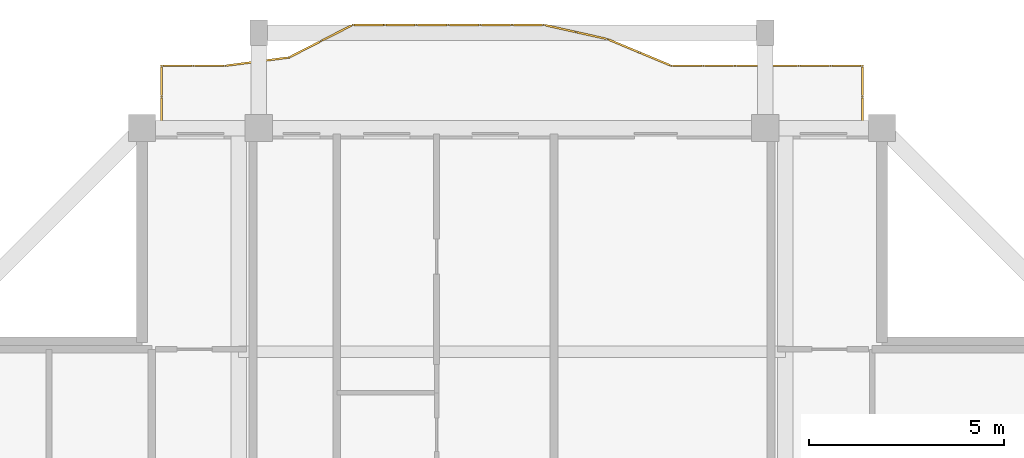
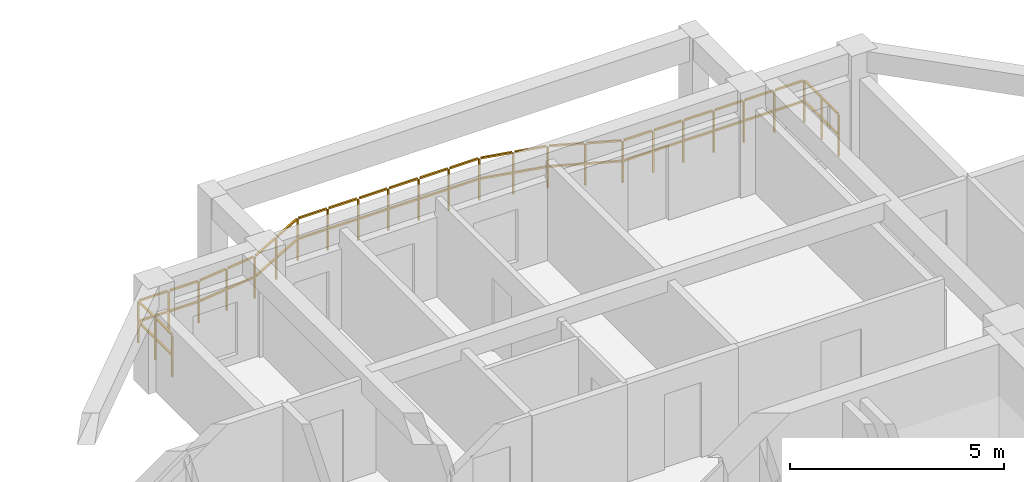
# One storey, part 12 of 12: 1 railing.
"""IFC4 building model written with IfcOpenShell, lengths in metres."""

from ifc_helpers import new_model, si_unit, direction, frame, origin, origin_2d, place, context, subcontext, project, spatial, rectangle, extrude, material, type_object, element, save


model = new_model("IFC4")

# Units and contexts
model_context = context("Model", 3, precision=1e-05, world=origin(), true_north=direction((0.0, 1.0)))
body_context = subcontext(model_context, "Body", "Model", "MODEL_VIEW")
ifc_project = project(units=[si_unit("LENGTHUNIT", "METRE"), si_unit("AREAUNIT", "SQUARE_METRE"), si_unit("VOLUMEUNIT", "CUBIC_METRE"), si_unit("PLANEANGLEUNIT", "RADIAN"), si_unit("MASSUNIT", "GRAM", prefix="KILO")], contexts=[model_context])

# Site, building, storey
site_placement = place(None, origin())
site = spatial("IfcSite", under=ifc_project, at=site_placement, CompositionType="ELEMENT")
building_placement = place(site_placement, origin())
building = spatial("IfcBuilding", under=site, at=building_placement, Name="Saelheon Loggia Tower", CompositionType="ELEMENT")
storey_placement = place(building_placement, frame((0.0, 0.0, 240.0)))
storey = spatial("IfcBuildingStorey", under=building, at=storey_placement, Name="L74", CompositionType="ELEMENT", Elevation=240.0)

# Railing
ifc_material = material(Name="Architectural Precast Concrete and Laminated Glass Guard", Category="concrete")
railing_type = type_object("IfcRailingType", Name="Guard_Loggia_RL_LOG", PredefinedType="BALUSTRADE", material=ifc_material)
railing_placement = place(storey_placement, frame((47.0, 48.0, 0.0)))
element("IfcRailing", 1, at=railing_placement, inside=storey, type_object=railing_type, Name="L74 North Loggia Balustrade", PredefinedType="BALUSTRADE", context=body_context, shape_type="SweptSolid", body=[
    extrude(rectangle(XDim=0.048095703125, YDim=0.048095703125, at=origin_2d()), frame((0.0, 0.033203125, 1.19580078125), z_axis=(0.0, 1.0, 0.0), x_axis=(-1.0, 0.0, 0.0)), (0.0, 0.0, 1.0), 0.733642578125),
    extrude(rectangle(XDim=0.048095703125, YDim=0.048095703125, at=origin_2d()), frame((0.0, 0.033203125, 0.60986328125), z_axis=(0.0, 1.0, 0.0), x_axis=(-1.0, 0.0, 0.0)), (0.0, 0.0, 1.0), 0.733642578125),
    extrude(rectangle(XDim=0.048095703125, YDim=0.048095703125, at=origin_2d()), frame((0.0, 0.833251953125, 1.19580078125), z_axis=(0.0, 1.0, 0.0), x_axis=(-1.0, 0.0, 0.0)), (0.0, 0.0, 1.0), 0.733642578125),
    extrude(rectangle(XDim=0.048095703125, YDim=0.048095703125, at=origin_2d()), frame((0.0, 0.833251953125, 0.60986328125), z_axis=(0.0, 1.0, 0.0), x_axis=(-1.0, 0.0, 0.0)), (0.0, 0.0, 1.0), 0.733642578125),
    extrude(rectangle(XDim=0.048095703125, YDim=0.048095703125, at=origin_2d()), frame((-0.033203125, 1.60009765625, 1.19580078125), z_axis=(-1.0, 0.0, 0.0), x_axis=(0.0, -1.0, 0.0)), (0.0, 0.0, 1.0), 0.751708984375),
    extrude(rectangle(XDim=0.048095703125, YDim=0.048095703125, at=origin_2d()), frame((-0.033203125, 1.60009765625, 0.60986328125), z_axis=(-1.0, 0.0, 0.0), x_axis=(0.0, -1.0, 0.0)), (0.0, 0.0, 1.0), 0.751708984375),
    extrude(rectangle(XDim=0.048095703125, YDim=0.048095703125, at=origin_2d()), frame((-0.8515625, 1.60009765625, 1.19580078125), z_axis=(-1.0, 0.0, 0.0), x_axis=(0.0, -1.0, 0.0)), (0.0, 0.0, 1.0), 0.751708984375),
    extrude(rectangle(XDim=0.048095703125, YDim=0.048095703125, at=origin_2d()), frame((-0.8515625, 1.60009765625, 0.60986328125), z_axis=(-1.0, 0.0, 0.0), x_axis=(0.0, -1.0, 0.0)), (0.0, 0.0, 1.0), 0.751708984375),
    extrude(rectangle(XDim=0.048095703125, YDim=0.048095703125, at=origin_2d()), frame((-1.669677734375, 1.60009765625, 1.19580078125), z_axis=(-1.0, 0.0, 0.0), x_axis=(0.0, -1.0, 0.0)), (0.0, 0.0, 1.0), 0.751708984375),
    extrude(rectangle(XDim=0.048095703125, YDim=0.048095703125, at=origin_2d()), frame((-1.669677734375, 1.60009765625, 0.60986328125), z_axis=(-1.0, 0.0, 0.0), x_axis=(0.0, -1.0, 0.0)), (0.0, 0.0, 1.0), 0.751708984375),
    extrude(rectangle(XDim=0.048095703125, YDim=0.048095703125, at=origin_2d()), frame((-2.48779296875, 1.60009765625, 1.19580078125), z_axis=(-1.0, 0.0, 0.0), x_axis=(0.0, -1.0, 0.0)), (0.0, 0.0, 1.0), 0.751708984375),
    extrude(rectangle(XDim=0.048095703125, YDim=0.048095703125, at=origin_2d()), frame((-2.48779296875, 1.60009765625, 0.60986328125), z_axis=(-1.0, 0.0, 0.0), x_axis=(0.0, -1.0, 0.0)), (0.0, 0.0, 1.0), 0.751708984375),
    extrude(rectangle(XDim=0.048095703125, YDim=0.048095703125, at=origin_2d()), frame((-3.305908203125, 1.60009765625, 1.19580078125), z_axis=(-1.0, 0.0, 0.0), x_axis=(0.0, -1.0, 0.0)), (0.0, 0.0, 1.0), 0.751708984375),
    extrude(rectangle(XDim=0.048095703125, YDim=0.048095703125, at=origin_2d()), frame((-3.305908203125, 1.60009765625, 0.60986328125), z_axis=(-1.0, 0.0, 0.0), x_axis=(0.0, -1.0, 0.0)), (0.0, 0.0, 1.0), 0.751708984375),
    extrude(rectangle(XDim=0.048095703125, YDim=0.048095703125, at=origin_2d()), frame((-4.124267578125, 1.60009765625, 1.19580078125), z_axis=(-1.0, 0.0, 0.0), x_axis=(0.0, -1.0, 0.0)), (0.0, 0.0, 1.0), 0.751708984375),
    extrude(rectangle(XDim=0.048095703125, YDim=0.048095703125, at=origin_2d()), frame((-4.124267578125, 1.60009765625, 0.60986328125), z_axis=(-1.0, 0.0, 0.0), x_axis=(0.0, -1.0, 0.0)), (0.0, 0.0, 1.0), 0.751708984375),
    extrude(rectangle(XDim=0.048095703125, YDim=0.048095703125, at=origin_2d()), frame((-4.93994140625, 1.61279296875, 1.19580078125), z_axis=(-0.922807832653, 0.385260566363, 0.0), x_axis=(-0.385260566363, -0.922807832653, 0.0)), (0.0, 0.0, 1.0), 0.820068359375),
    extrude(rectangle(XDim=0.048095703125, YDim=0.048095703125, at=origin_2d()), frame((-4.93994140625, 1.61279296875, 0.60986328125), z_axis=(-0.922807832653, 0.385260566363, 0.0), x_axis=(-0.385260566363, -0.922807832653, 0.0)), (0.0, 0.0, 1.0), 0.820068359375),
    extrude(rectangle(XDim=0.048095703125, YDim=0.048095703125, at=origin_2d()), frame((-5.758056640625, 1.954345703125, 1.19580078125), z_axis=(-0.922807832653, 0.385260566363, 0.0), x_axis=(-0.385260566363, -0.922807832653, 0.0)), (0.0, 0.0, 1.0), 0.820068359375),
    extrude(rectangle(XDim=0.048095703125, YDim=0.048095703125, at=origin_2d()), frame((-5.758056640625, 1.954345703125, 0.60986328125), z_axis=(-0.922807832653, 0.385260566363, 0.0), x_axis=(-0.385260566363, -0.922807832653, 0.0)), (0.0, 0.0, 1.0), 0.820068359375),
    extrude(rectangle(XDim=0.048095703125, YDim=0.048095703125, at=origin_2d()), frame((-6.577880859375, 2.29052734375, 1.19580078125), z_axis=(-0.975801895731, 0.218656489242, 0.0), x_axis=(-0.218656489242, -0.975801895731, 0.0)), (0.0, 0.0, 1.0), 0.77197265625),
    extrude(rectangle(XDim=0.048095703125, YDim=0.048095703125, at=origin_2d()), frame((-6.577880859375, 2.29052734375, 0.60986328125), z_axis=(-0.975801895731, 0.218656489242, 0.0), x_axis=(-0.218656489242, -0.975801895731, 0.0)), (0.0, 0.0, 1.0), 0.77197265625),
    extrude(rectangle(XDim=0.048095703125, YDim=0.048095703125, at=origin_2d()), frame((-7.39599609375, 2.473876953125, 1.19580078125), z_axis=(-0.975801895731, 0.218656489242, 0.0), x_axis=(-0.218656489242, -0.975801895731, 0.0)), (0.0, 0.0, 1.0), 0.77197265625),
    extrude(rectangle(XDim=0.048095703125, YDim=0.048095703125, at=origin_2d()), frame((-7.39599609375, 2.473876953125, 0.60986328125), z_axis=(-0.975801895731, 0.218656489242, 0.0), x_axis=(-0.218656489242, -0.975801895731, 0.0)), (0.0, 0.0, 1.0), 0.77197265625),
    extrude(rectangle(XDim=0.048095703125, YDim=0.048095703125, at=origin_2d()), frame((-8.215087890625, 2.64990234375, 1.19580078125), z_axis=(-1.0, 0.0, 0.0), x_axis=(0.0, -1.0, 0.0)), (0.0, 0.0, 1.0), 0.751708984375),
    extrude(rectangle(XDim=0.048095703125, YDim=0.048095703125, at=origin_2d()), frame((-8.215087890625, 2.64990234375, 0.60986328125), z_axis=(-1.0, 0.0, 0.0), x_axis=(0.0, -1.0, 0.0)), (0.0, 0.0, 1.0), 0.751708984375),
    extrude(rectangle(XDim=0.048095703125, YDim=0.048095703125, at=origin_2d()), frame((-9.033203125, 2.64990234375, 1.19580078125), z_axis=(-1.0, 0.0, 0.0), x_axis=(0.0, -1.0, 0.0)), (0.0, 0.0, 1.0), 0.751708984375),
    extrude(rectangle(XDim=0.048095703125, YDim=0.048095703125, at=origin_2d()), frame((-9.033203125, 2.64990234375, 0.60986328125), z_axis=(-1.0, 0.0, 0.0), x_axis=(0.0, -1.0, 0.0)), (0.0, 0.0, 1.0), 0.751708984375),
    extrude(rectangle(XDim=0.048095703125, YDim=0.048095703125, at=origin_2d()), frame((-9.851318359375, 2.64990234375, 1.19580078125), z_axis=(-1.0, 0.0, 0.0), x_axis=(0.0, -1.0, 0.0)), (0.0, 0.0, 1.0), 0.751708984375),
    extrude(rectangle(XDim=0.048095703125, YDim=0.048095703125, at=origin_2d()), frame((-9.851318359375, 2.64990234375, 0.60986328125), z_axis=(-1.0, 0.0, 0.0), x_axis=(0.0, -1.0, 0.0)), (0.0, 0.0, 1.0), 0.751708984375),
    extrude(rectangle(XDim=0.048095703125, YDim=0.048095703125, at=origin_2d()), frame((-10.669677734375, 2.64990234375, 1.19580078125), z_axis=(-1.0, 0.0, 0.0), x_axis=(0.0, -1.0, 0.0)), (0.0, 0.0, 1.0), 0.751708984375),
    extrude(rectangle(XDim=0.048095703125, YDim=0.048095703125, at=origin_2d()), frame((-10.669677734375, 2.64990234375, 0.60986328125), z_axis=(-1.0, 0.0, 0.0), x_axis=(0.0, -1.0, 0.0)), (0.0, 0.0, 1.0), 0.751708984375),
    extrude(rectangle(XDim=0.048095703125, YDim=0.048095703125, at=origin_2d()), frame((-11.48779296875, 2.64990234375, 1.19580078125), z_axis=(-1.0, 0.0, 0.0), x_axis=(0.0, -1.0, 0.0)), (0.0, 0.0, 1.0), 0.751708984375),
    extrude(rectangle(XDim=0.048095703125, YDim=0.048095703125, at=origin_2d()), frame((-11.48779296875, 2.64990234375, 0.60986328125), z_axis=(-1.0, 0.0, 0.0), x_axis=(0.0, -1.0, 0.0)), (0.0, 0.0, 1.0), 0.751708984375),
    extrude(rectangle(XDim=0.048095703125, YDim=0.048095703125, at=origin_2d()), frame((-12.305908203125, 2.64990234375, 1.19580078125), z_axis=(-1.0, 0.0, 0.0), x_axis=(0.0, -1.0, 0.0)), (0.0, 0.0, 1.0), 0.751708984375),
    extrude(rectangle(XDim=0.048095703125, YDim=0.048095703125, at=origin_2d()), frame((-12.305908203125, 2.64990234375, 0.60986328125), z_axis=(-1.0, 0.0, 0.0), x_axis=(0.0, -1.0, 0.0)), (0.0, 0.0, 1.0), 0.751708984375),
    extrude(rectangle(XDim=0.048095703125, YDim=0.048095703125, at=origin_2d()), frame((-13.120361328125, 2.634765625, 1.19580078125), z_axis=(-0.890218103987, -0.455534551197, 0.0), x_axis=(0.455534551197, -0.890218103987, 0.0)), (0.0, 0.0, 1.0), 0.852783203125),
    extrude(rectangle(XDim=0.048095703125, YDim=0.048095703125, at=origin_2d()), frame((-13.120361328125, 2.634765625, 0.60986328125), z_axis=(-0.890218103987, -0.455534551197, 0.0), x_axis=(0.455534551197, -0.890218103987, 0.0)), (0.0, 0.0, 1.0), 0.852783203125),
    extrude(rectangle(XDim=0.048095703125, YDim=0.048095703125, at=origin_2d()), frame((-13.938720703125, 2.216064453125, 1.19580078125), z_axis=(-0.890218103987, -0.455534551197, 0.0), x_axis=(0.455534551197, -0.890218103987, 0.0)), (0.0, 0.0, 1.0), 0.852783203125),
    extrude(rectangle(XDim=0.048095703125, YDim=0.048095703125, at=origin_2d()), frame((-13.938720703125, 2.216064453125, 0.60986328125), z_axis=(-0.890218103987, -0.455534551197, 0.0), x_axis=(0.455534551197, -0.890218103987, 0.0)), (0.0, 0.0, 1.0), 0.852783203125),
    extrude(rectangle(XDim=0.048095703125, YDim=0.048095703125, at=origin_2d()), frame((-14.76025390625, 1.80810546875, 1.19580078125), z_axis=(-0.991679434702, -0.128731887226, 0.0), x_axis=(0.128731887226, -0.991679434702, 0.0)), (0.0, 0.0, 1.0), 0.758544921875),
    extrude(rectangle(XDim=0.048095703125, YDim=0.048095703125, at=origin_2d()), frame((-14.76025390625, 1.80810546875, 0.60986328125), z_axis=(-0.991679434702, -0.128731887226, 0.0), x_axis=(0.128731887226, -0.991679434702, 0.0)), (0.0, 0.0, 1.0), 0.758544921875),
    extrude(rectangle(XDim=0.048095703125, YDim=0.048095703125, at=origin_2d()), frame((-15.578369140625, 1.701904296875, 1.19580078125), z_axis=(-0.991679434702, -0.128731887226, 0.0), x_axis=(0.128731887226, -0.991679434702, 0.0)), (0.0, 0.0, 1.0), 0.758544921875),
    extrude(rectangle(XDim=0.048095703125, YDim=0.048095703125, at=origin_2d()), frame((-15.578369140625, 1.701904296875, 0.60986328125), z_axis=(-0.991679434702, -0.128731887226, 0.0), x_axis=(0.128731887226, -0.991679434702, 0.0)), (0.0, 0.0, 1.0), 0.758544921875),
    extrude(rectangle(XDim=0.048095703125, YDim=0.048095703125, at=origin_2d()), frame((-16.396728515625, 1.60009765625, 1.19580078125), z_axis=(-1.0, 0.0, 0.0), x_axis=(0.0, -1.0, 0.0)), (0.0, 0.0, 1.0), 0.751708984375),
    extrude(rectangle(XDim=0.048095703125, YDim=0.048095703125, at=origin_2d()), frame((-16.396728515625, 1.60009765625, 0.60986328125), z_axis=(-1.0, 0.0, 0.0), x_axis=(0.0, -1.0, 0.0)), (0.0, 0.0, 1.0), 0.751708984375),
    extrude(rectangle(XDim=0.048095703125, YDim=0.048095703125, at=origin_2d()), frame((-17.215087890625, 1.60009765625, 1.19580078125), z_axis=(-1.0, 0.0, 0.0), x_axis=(0.0, -1.0, 0.0)), (0.0, 0.0, 1.0), 0.751708984375),
    extrude(rectangle(XDim=0.048095703125, YDim=0.048095703125, at=origin_2d()), frame((-17.215087890625, 1.60009765625, 0.60986328125), z_axis=(-1.0, 0.0, 0.0), x_axis=(0.0, -1.0, 0.0)), (0.0, 0.0, 1.0), 0.751708984375),
    extrude(rectangle(XDim=0.048095703125, YDim=0.048095703125, at=origin_2d()), frame((-18.0, 1.56689453125, 1.19580078125), z_axis=(0.0, -1.0, 0.0), x_axis=(1.0, 0.0, 0.0)), (0.0, 0.0, 1.0), 0.733642578125),
    extrude(rectangle(XDim=0.048095703125, YDim=0.048095703125, at=origin_2d()), frame((-18.0, 1.56689453125, 0.60986328125), z_axis=(0.0, -1.0, 0.0), x_axis=(1.0, 0.0, 0.0)), (0.0, 0.0, 1.0), 0.733642578125),
    extrude(rectangle(XDim=0.048095703125, YDim=0.048095703125, at=origin_2d()), frame((-18.0, 0.766845703125, 1.19580078125), z_axis=(0.0, -1.0, 0.0), x_axis=(1.0, 0.0, 0.0)), (0.0, 0.0, 1.0), 0.733642578125),
    extrude(rectangle(XDim=0.048095703125, YDim=0.048095703125, at=origin_2d()), frame((-18.0, 0.766845703125, 0.60986328125), z_axis=(0.0, -1.0, 0.0), x_axis=(1.0, 0.0, 0.0)), (0.0, 0.0, 1.0), 0.733642578125),
    extrude(rectangle(XDim=0.0419921875, YDim=0.0419921875, at=origin_2d()), origin(), (0.0, 0.0, 1.0), 1.16796875),
    extrude(rectangle(XDim=0.0419921875, YDim=0.0419921875, at=origin_2d()), frame((0.0, 0.800048828125, 0.0)), (0.0, 0.0, 1.0), 1.16796875),
    extrude(rectangle(XDim=0.0419921875, YDim=0.0419921875, at=origin_2d()), frame((0.0, 1.60009765625, 0.0)), (0.0, 0.0, 1.0), 1.16796875),
    extrude(rectangle(XDim=0.0419921875, YDim=0.0419921875, at=origin_2d()), frame((-0.818359375, 1.60009765625, 0.0)), (0.0, 0.0, 1.0), 1.16796875),
    extrude(rectangle(XDim=0.0419921875, YDim=0.0419921875, at=origin_2d()), frame((-1.636474609375, 1.60009765625, 0.0)), (0.0, 0.0, 1.0), 1.16796875),
    extrude(rectangle(XDim=0.0419921875, YDim=0.0419921875, at=origin_2d()), frame((-2.45458984375, 1.60009765625, 0.0)), (0.0, 0.0, 1.0), 1.16796875),
    extrude(rectangle(XDim=0.0419921875, YDim=0.0419921875, at=origin_2d()), frame((-3.272705078125, 1.60009765625, 0.0)), (0.0, 0.0, 1.0), 1.16796875),
    extrude(rectangle(XDim=0.0419921875, YDim=0.0419921875, at=origin_2d()), frame((-4.0908203125, 1.60009765625, 0.0)), (0.0, 0.0, 1.0), 1.16796875),
    extrude(rectangle(XDim=0.0419921875, YDim=0.0419921875, at=origin_2d()), frame((-4.9091796875, 1.60009765625, 0.0)), (0.0, 0.0, 1.0), 1.16796875),
    extrude(rectangle(XDim=0.0419921875, YDim=0.0419921875, at=origin_2d()), frame((-5.727294921875, 1.941650390625, 0.0)), (0.0, 0.0, 1.0), 1.16796875),
    extrude(rectangle(XDim=0.0419921875, YDim=0.0419921875, at=origin_2d()), frame((-6.54541015625, 2.283203125, 0.0)), (0.0, 0.0, 1.0), 1.16796875),
    extrude(rectangle(XDim=0.0419921875, YDim=0.0419921875, at=origin_2d()), frame((-7.36376953125, 2.466552734375, 0.0)), (0.0, 0.0, 1.0), 1.16796875),
    extrude(rectangle(XDim=0.0419921875, YDim=0.0419921875, at=origin_2d()), frame((-8.181884765625, 2.64990234375, 0.0)), (0.0, 0.0, 1.0), 1.16796875),
    extrude(rectangle(XDim=0.0419921875, YDim=0.0419921875, at=origin_2d()), frame((-9.0, 2.64990234375, 0.0)), (0.0, 0.0, 1.0), 1.16796875),
    extrude(rectangle(XDim=0.0419921875, YDim=0.0419921875, at=origin_2d()), frame((-9.818115234375, 2.64990234375, 0.0)), (0.0, 0.0, 1.0), 1.16796875),
    extrude(rectangle(XDim=0.0419921875, YDim=0.0419921875, at=origin_2d()), frame((-10.63623046875, 2.64990234375, 0.0)), (0.0, 0.0, 1.0), 1.16796875),
    extrude(rectangle(XDim=0.0419921875, YDim=0.0419921875, at=origin_2d()), frame((-11.45458984375, 2.64990234375, 0.0)), (0.0, 0.0, 1.0), 1.16796875),
    extrude(rectangle(XDim=0.0419921875, YDim=0.0419921875, at=origin_2d()), frame((-12.272705078125, 2.64990234375, 0.0)), (0.0, 0.0, 1.0), 1.16796875),
    extrude(rectangle(XDim=0.0419921875, YDim=0.0419921875, at=origin_2d()), frame((-13.0908203125, 2.64990234375, 0.0)), (0.0, 0.0, 1.0), 1.16796875),
    extrude(rectangle(XDim=0.0419921875, YDim=0.0419921875, at=origin_2d()), frame((-13.9091796875, 2.231201171875, 0.0)), (0.0, 0.0, 1.0), 1.16796875),
    extrude(rectangle(XDim=0.0419921875, YDim=0.0419921875, at=origin_2d()), frame((-14.727294921875, 1.8125, 0.0)), (0.0, 0.0, 1.0), 1.16796875),
    extrude(rectangle(XDim=0.0419921875, YDim=0.0419921875, at=origin_2d()), frame((-15.54541015625, 1.706298828125, 0.0)), (0.0, 0.0, 1.0), 1.16796875),
    extrude(rectangle(XDim=0.0419921875, YDim=0.0419921875, at=origin_2d()), frame((-16.363525390625, 1.60009765625, 0.0)), (0.0, 0.0, 1.0), 1.16796875),
    extrude(rectangle(XDim=0.0419921875, YDim=0.0419921875, at=origin_2d()), frame((-17.181640625, 1.60009765625, 0.0)), (0.0, 0.0, 1.0), 1.16796875),
    extrude(rectangle(XDim=0.0419921875, YDim=0.0419921875, at=origin_2d()), frame((-18.0, 1.60009765625, 0.0)), (0.0, 0.0, 1.0), 1.16796875),
    extrude(rectangle(XDim=0.0419921875, YDim=0.0419921875, at=origin_2d()), frame((-18.0, 0.800048828125, 0.0)), (0.0, 0.0, 1.0), 1.16796875),
    extrude(rectangle(XDim=0.0419921875, YDim=0.0419921875, at=origin_2d()), frame((-18.0, 0.0, 0.0)), (0.0, 0.0, 1.0), 1.16796875),
])

save(model, "model.ifc")
